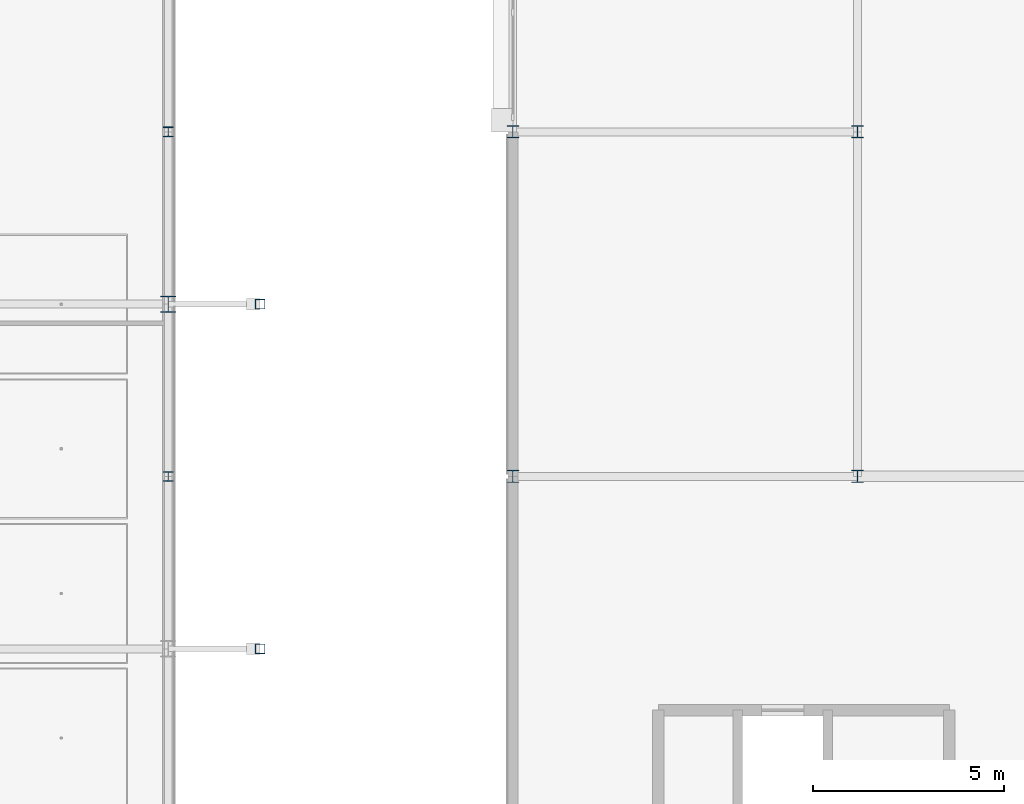
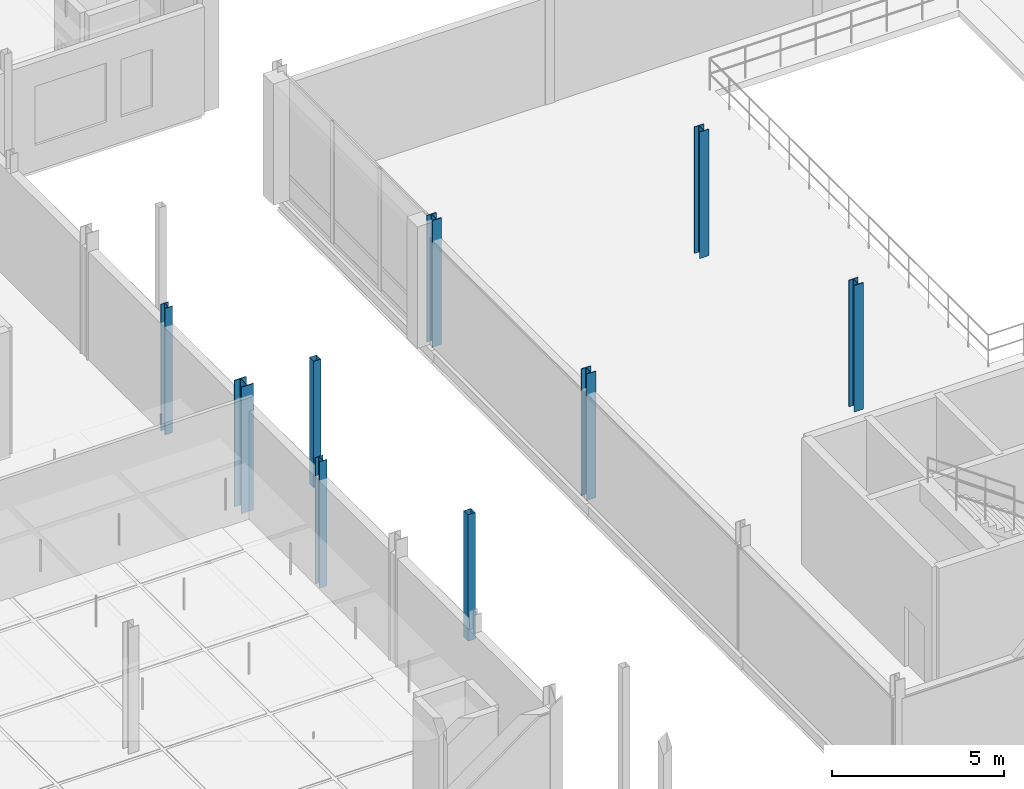
# One storey, part 9 of 130: 9 columns.
"""IFC4 building model written with IfcOpenShell, lengths in metres."""

from ifc_helpers import new_model, si_unit, direction, frame, origin, origin_2d, place, context, subcontext, project, spatial, hollow_rectangle, i_section, extrude, material, material_profile, profile_set, type_object, element, save


model = new_model("IFC4")

# Units and contexts
model_context = context("Model", 3, precision=1e-05, world=origin(), true_north=direction((0.0, 1.0)))
body_context = subcontext(model_context, "Body", "Model", "MODEL_VIEW")
ifc_project = project(units=[si_unit("LENGTHUNIT", "METRE"), si_unit("AREAUNIT", "SQUARE_METRE"), si_unit("VOLUMEUNIT", "CUBIC_METRE"), si_unit("PLANEANGLEUNIT", "RADIAN"), si_unit("MASSUNIT", "GRAM", prefix="KILO"), si_unit("THERMODYNAMICTEMPERATUREUNIT", "KELVIN"), si_unit("POWERUNIT", "WATT")], contexts=[model_context])

# Site, building, storey
site_placement = place(None, origin())
site = spatial("IfcSite", under=ifc_project, at=site_placement, CompositionType="ELEMENT")
building_placement = place(site_placement, origin())
building = spatial("IfcBuilding", under=site, at=building_placement, Name="Tallowbark Science Centre", CompositionType="ELEMENT")
storey_placement = place(building_placement, frame((0.0, 0.0, 5.39990234375)))
storey = spatial("IfcBuildingStorey", under=building, at=storey_placement, Name="L01", CompositionType="ELEMENT", Elevation=5.39990234375)

# Columns
ifc_material_1 = material(Name="White Architectural Painted Steel Grade C350L0 (350 MPa)", Category="steel")
ifc_material_profile_1 = material_profile(ifc_material_1, hollow_rectangle(XDim=0.25, YDim=0.25, WallThickness=0.009033203125, at=origin_2d()), Name="250x250x9.0SHS")
ifc_profile_set_1 = profile_set([ifc_material_profile_1], Name="White Architectural Painted Steel Grade C350L0 (350 MPa)")
column_type_1 = type_object("IfcColumnType", Name="COL-SCR200", PredefinedType="COLUMN", material=ifc_profile_set_1)
for number, where, z_axis, x_axis, name in (
    (1, (105.89990234375, 13.5, 0.0), (0.0, 0.0, 1.0), (1.0, 0.0, 0.0), "Column SCR-E02 L01"),
    (2, (105.89990234375, 22.5, 0.0), (0.0, 0.0, 1.0), (1.0, 0.0, 0.0), "Column SCR-E03 L01"),
):
    element("IfcColumn", number, at=place(storey_placement, frame(where, z_axis=z_axis, x_axis=x_axis)), inside=storey, type_object=column_type_1, Name=name, PredefinedType="COLUMN", context=body_context, shape_type="SweptSolid", body=[
        extrude(hollow_rectangle(XDim=0.25, YDim=0.25, WallThickness=0.009033203125, at=origin_2d()), origin(), (0.0, 0.0, 1.0), 4.5),
    ])
ifc_material_2 = material(Name="Structural Steel Grade 300PLUS (300 MPa)", Category="steel")
ifc_material_profile_2 = material_profile(ifc_material_2, i_section(OverallWidth=0.311279296875, OverallDepth=0.3271484375, WebThickness=0.015625, FlangeThickness=0.02490234375, FilletRadius=0.0166015625, at=origin_2d()), Name="310UC158")
ifc_profile_set_2 = profile_set([ifc_material_profile_2], Name="Structural Steel Grade 300PLUS (300 MPa)")
column_type_2 = type_object("IfcColumnType", Name="COL-UC310A", PredefinedType="COLUMN", material=ifc_profile_set_2)
for number, where, z_axis, x_axis, name in (
    (3, (112.5, 18.0, 0.0), (0.0, 0.0, 1.0), (1.0, 0.0, 0.0), "Column THT-M0_2 L01"),
    (4, (112.5, 27.0, 0.0), (0.0, 0.0, 1.0), (1.0, 0.0, 0.0), "Column THT-M0_3 L01"),
    (5, (121.5, 18.0, 0.0), (0.0, 0.0, 1.0), (1.0, 0.0, 0.0), "Column THT-M1_2 L01"),
    (6, (121.5, 27.0, 0.0), (0.0, 0.0, 1.0), (1.0, 0.0, 0.0), "Column THT-M1_3 L01"),
):
    element("IfcColumn", number, at=place(storey_placement, frame(where, z_axis=z_axis, x_axis=x_axis)), inside=storey, type_object=column_type_2, Name=name, PredefinedType="COLUMN", context=body_context, shape_type="SweptSolid", body=[
        extrude(i_section(OverallWidth=0.311279296875, OverallDepth=0.3271484375, WebThickness=0.015625, FlangeThickness=0.02490234375, FilletRadius=0.0166015625, at=origin_2d()), origin(), (0.0, 0.0, 1.0), 4.5),
    ])
ifc_material_profile_3 = material_profile(ifc_material_2, i_section(OverallWidth=0.39990234375, OverallDepth=0.427978515625, WebThickness=0.02001953125, FlangeThickness=0.028076171875, FilletRadius=0.01611328125, at=origin_2d()), Name="400WC270")
ifc_profile_set_3 = profile_set([ifc_material_profile_3], Name="Structural Steel Grade 300PLUS (300 MPa)")
column_type_3 = type_object("IfcColumnType", Name="COL-WC400", PredefinedType="COLUMN", material=ifc_profile_set_3)
column_placement = place(storey_placement, frame((103.5, 22.5, 0.0), z_axis=(0.0, 0.0, 1.0), x_axis=(1.0, 0.0, 0.0)))
element("IfcColumn", 7, at=column_placement, inside=storey, type_object=column_type_3, Name="Column CUB-M5_2 L01", PredefinedType="COLUMN", context=body_context, shape_type="SweptSolid", body=[
    extrude(i_section(OverallWidth=0.39990234375, OverallDepth=0.427978515625, WebThickness=0.02001953125, FlangeThickness=0.028076171875, FilletRadius=0.01611328125, at=origin_2d()), origin(), (0.0, 0.0, 1.0), 4.5),
])
ifc_material_profile_4 = material_profile(ifc_material_2, i_section(OverallWidth=0.256103515625, OverallDepth=0.260009765625, WebThickness=0.010498046875, FlangeThickness=0.017333984375, FilletRadius=0.013916015625, at=origin_2d()), Name="250UC89.5")
ifc_profile_set_4 = profile_set([ifc_material_profile_4], Name="Structural Steel Grade 300PLUS (300 MPa)")
column_type_4 = type_object("IfcColumnType", Name="PIL-UC250", PredefinedType="PILASTER", material=ifc_profile_set_4)
for number, where, z_axis, x_axis, name in (
    (8, (103.5, 18.0, 0.0), (0.0, 0.0, 1.0), (1.0, 0.0, 0.0), "Column CUB-PE-1 L01"),
    (9, (103.5, 27.0, 0.0), (0.0, 0.0, 1.0), (1.0, 0.0, 0.0), "Column CUB-PE-2 L01"),
):
    element("IfcColumn", number, at=place(storey_placement, frame(where, z_axis=z_axis, x_axis=x_axis)), inside=storey, type_object=column_type_4, Name=name, PredefinedType="PILASTER", context=body_context, shape_type="SweptSolid", body=[
        extrude(i_section(OverallWidth=0.256103515625, OverallDepth=0.260009765625, WebThickness=0.010498046875, FlangeThickness=0.017333984375, FilletRadius=0.013916015625, at=origin_2d()), origin(), (0.0, 0.0, 1.0), 4.5),
    ])

save(model, "model.ifc")
